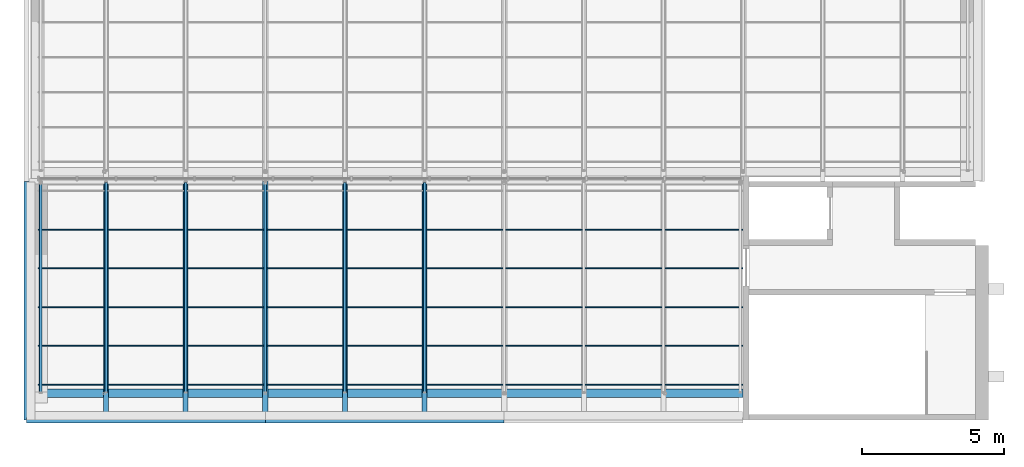
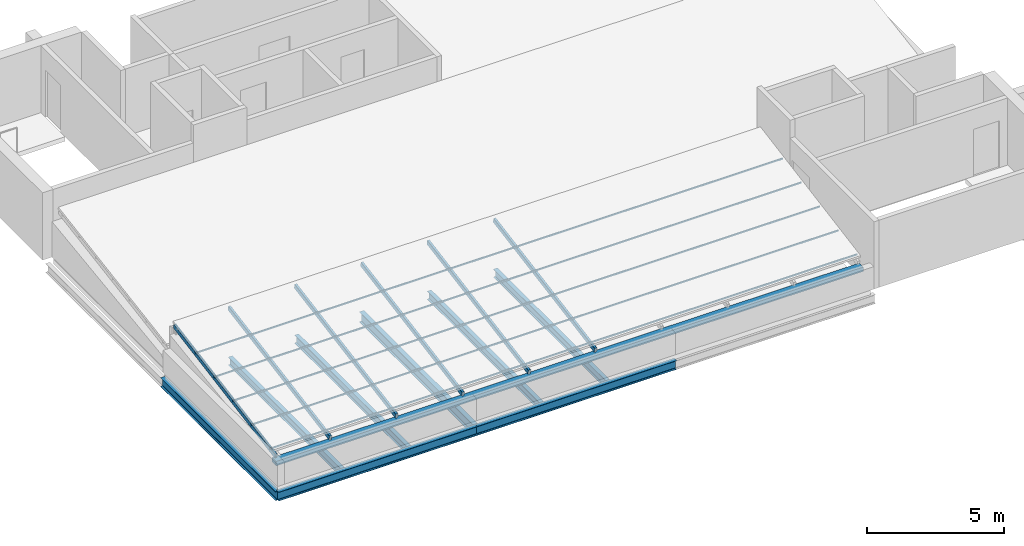
# One storey, part 1 of 33: 12 members, 8 beams.
"""IFC4 building model written with IfcOpenShell, lengths in metres."""

from ifc_helpers import new_model, si_unit, direction, frame, origin, origin_2d, place, context, subcontext, project, spatial, rectangle, hollow_rectangle, i_section, extrude, material, material_profile, profile_set, type_object, element, save


model = new_model("IFC4")

# Units and contexts
model_context = context("Model", 3, precision=1e-05, world=origin(), true_north=direction((0.0, 1.0)))
body_context = subcontext(model_context, "Body", "Model", "MODEL_VIEW")
ifc_project = project(units=[si_unit("LENGTHUNIT", "METRE"), si_unit("AREAUNIT", "SQUARE_METRE"), si_unit("VOLUMEUNIT", "CUBIC_METRE"), si_unit("PLANEANGLEUNIT", "RADIAN"), si_unit("MASSUNIT", "GRAM", prefix="KILO")], contexts=[model_context])

# Site, building, storey
site_placement = place(None, origin())
site = spatial("IfcSite", under=ifc_project, at=site_placement, CompositionType="ELEMENT")
building_placement = place(site_placement, origin())
building = spatial("IfcBuilding", under=site, at=building_placement, Name="Ardhachandra Cancer Care Centre", CompositionType="ELEMENT")
storey_placement = place(building_placement, frame((0.0, 0.0, 27.0)))
storey = spatial("IfcBuildingStorey", under=building, at=storey_placement, Name="Roof", CompositionType="ELEMENT", Elevation=27.0)

# Beams
ifc_material_1 = material(Name="Steel E350 (IS 2062)", Category="steel")
ifc_material_profile_1 = material_profile(ifc_material_1, i_section(OverallWidth=0.172119140625, OverallDepth=0.364013671875, WebThickness=0.00927734375, FlangeThickness=0.0146484375, FilletRadius=0.01806640625, at=origin_2d()), Name="NPB 350x170x66.04")
ifc_profile_set_1 = profile_set([ifc_material_profile_1], Name="Steel E350 (IS 2062)")
beam_type_1 = type_object("IfcBeamType", Name="Beam NPB 350x170x66.04", PredefinedType="BEAM", material=ifc_profile_set_1)
for number, where, z_axis, x_axis, name in (
    (1, (114.39990234375, 79.889892578125, -0.382080078125), (0.0, 1.0, 0.0), (-1.0, 0.0, 0.0), "Secondary J13-K13@2800"),
    (2, (117.199951171875, 79.889892578125, -0.382080078125), (0.0, 1.0, 0.0), (-1.0, 0.0, 0.0), "Secondary J13-K13@5600"),
    (3, (122.800048828125, 79.889892578125, -0.382080078125), (0.0, 1.0, 0.0), (-1.0, 0.0, 0.0), "Secondary J14-K14@2800"),
    (4, (125.60009765625, 79.889892578125, -0.382080078125), (0.0, 1.0, 0.0), (-1.0, 0.0, 0.0), "Secondary J14-K14@5600"),
):
    element("IfcBeam", number, at=place(storey_placement, frame(where, z_axis=z_axis, x_axis=x_axis)), inside=storey, type_object=beam_type_1, Name=name, PredefinedType="BEAM", context=body_context, shape_type="SweptSolid", body=[
        extrude(i_section(OverallWidth=0.172119140625, OverallDepth=0.364013671875, WebThickness=0.00927734375, FlangeThickness=0.0146484375, FilletRadius=0.01806640625, at=origin_2d()), origin(), (0.0, 0.0, 1.0), 8.214111328125),
    ])
ifc_material_2 = material(Name="Steel E350 (IS 2062)", Category="steel")
ifc_material_profile_2 = material_profile(ifc_material_2, i_section(OverallWidth=0.179931640625, OverallDepth=0.39990234375, WebThickness=0.008544921875, FlangeThickness=0.013427734375, FilletRadius=0.02099609375, at=origin_2d()), Name="NPB 400x180x66.30")
ifc_profile_set_2 = profile_set([ifc_material_profile_2], Name="Steel E350 (IS 2062)")
beam_type_2 = type_object("IfcBeamType", Name="Beam NPB 400x180x66.30", PredefinedType="BEAM", material=ifc_profile_set_2)
for number, where, z_axis, x_axis, name in (
    (5, (111.60009765625, 79.800048828125, -0.39990234375), (1.0, 0.0, 0.0), (0.0, 1.0, 0.0), "Edge girder J13-J14"),
    (6, (120.0, 79.800048828125, -0.39990234375), (1.0, 0.0, 0.0), (0.0, 1.0, 0.0), "Edge girder J14-J15"),
    (7, (111.60009765625, 79.800048828125, -0.39990234375), (0.0, 1.0, 0.0), (-1.0, 0.0, 0.0), "Edge girder J13-K13"),
):
    element("IfcBeam", number, at=place(storey_placement, frame(where, z_axis=z_axis, x_axis=x_axis)), inside=storey, type_object=beam_type_2, Name=name, PredefinedType="BEAM", context=body_context, shape_type="SweptSolid", body=[
        extrude(i_section(OverallWidth=0.179931640625, OverallDepth=0.39990234375, WebThickness=0.008544921875, FlangeThickness=0.013427734375, FilletRadius=0.02099609375, at=origin_2d()), origin(), (0.0, 0.0, 1.0), 8.39990234375),
    ])
ifc_material_3 = material(Name="Steel E350 (IS 2062)", Category="steel")
ifc_material_profile_3 = material_profile(ifc_material_3, i_section(OverallWidth=0.19189453125, OverallDepth=0.4560546875, WebThickness=0.010986328125, FlangeThickness=0.017578125, FilletRadius=0.02099609375, at=origin_2d()), Name="NPB 450x190x92.36")
ifc_profile_set_3 = profile_set([ifc_material_profile_3], Name="Steel E350 (IS 2062)")
beam_type_3 = type_object("IfcBeamType", Name="Beam NPB 450x190x92.36", PredefinedType="BEAM", material=ifc_profile_set_3)
beam_placement = place(storey_placement, frame((120.0, 79.800048828125, -0.427978515625), z_axis=(0.0, 1.0, 0.0), x_axis=(-1.0, 0.0, 0.0)))
element("IfcBeam", 8, at=beam_placement, inside=storey, type_object=beam_type_3, Name="Girder J14-K14", PredefinedType="BEAM", context=body_context, shape_type="SweptSolid", body=[
    extrude(i_section(OverallWidth=0.19189453125, OverallDepth=0.4560546875, WebThickness=0.010986328125, FlangeThickness=0.017578125, FilletRadius=0.02099609375, at=origin_2d()), origin(), (0.0, 0.0, 1.0), 8.39990234375),
])

# Members
ifc_material_4 = material(Name="Steel E350 (IS 2062)", Category="steel")
ifc_material_profile_4 = material_profile(ifc_material_4, hollow_rectangle(XDim=0.0400390625, YDim=0.080078125, WallThickness=0.00390625, InnerFilletRadius=0.00390625, OuterFilletRadius=0.008056640625, at=origin_2d()), Name="RHS 80x40x4.0")
ifc_profile_set_4 = profile_set([ifc_material_profile_4], Name="Steel E350 (IS 2062)")
member_type_1 = type_object("IfcMemberType", Name="Roof purlin RHS 80x40x4.0", PredefinedType="PURLIN", material=ifc_profile_set_4)
for number, where, z_axis, x_axis, name in (
    (9, (112.0, 81.053955078125, 0.7890625), (1.0, 0.0, 0.0), (0.0, 0.984460447526, 0.175606455623), "Purlin ST1a.1"),
    (10, (112.0, 82.41552734375, 1.031982421875), (1.0, 0.0, 0.0), (0.0, 0.984460447526, 0.175606455623), "Purlin ST1a.2"),
    (11, (112.0, 83.777099609375, 1.27490234375), (1.0, 0.0, 0.0), (0.0, 0.984460447526, 0.175606455623), "Purlin ST1a.3"),
    (12, (112.0, 85.138671875, 1.517822265625), (1.0, 0.0, 0.0), (0.0, 0.984460447526, 0.175606455623), "Purlin ST1a.4"),
    (13, (112.0, 86.500244140625, 1.760498046875), (1.0, 0.0, 0.0), (0.0, 0.984460447526, 0.175606455623), "Purlin ST1a.5"),
):
    element("IfcMember", number, at=place(storey_placement, frame(where, z_axis=z_axis, x_axis=x_axis)), inside=storey, type_object=member_type_1, Name=name, PredefinedType="PURLIN", context=body_context, shape_type="SweptSolid", body=[
        extrude(hollow_rectangle(XDim=0.0400390625, YDim=0.080078125, WallThickness=0.00390625, InnerFilletRadius=0.00390625, OuterFilletRadius=0.008056640625, at=origin_2d()), origin(), (0.0, 0.0, 1.0), 24.800048828125),
    ])
ifc_material_5 = material(Name="Steel E350 (IS 2062)", Category="steel")
ifc_material_profile_5 = material_profile(ifc_material_5, hollow_rectangle(XDim=0.10009765625, YDim=0.199951171875, WallThickness=0.006103515625, InnerFilletRadius=0.006103515625, OuterFilletRadius=0.011962890625, at=origin_2d()), Name="RHS 200x100x6.0")
ifc_profile_set_5 = profile_set([ifc_material_profile_5], Name="Steel E350 (IS 2062)")
member_type_2 = type_object("IfcMemberType", Name="Roof rafter RHS 200x100x6.0", PredefinedType="RAFTER", material=ifc_profile_set_5)
for number, where, z_axis, x_axis, name in (
    (14, (112.10009765625, 80.782470703125, 0.598388671875), (0.0, 0.984458474177, 0.175617517977), (-1.0, 0.0, 0.0), "Rafter ST1a.1"),
    (15, (114.39990234375, 80.782470703125, 0.598388671875), (0.0, 0.984458474177, 0.175617517977), (-1.0, 0.0, 0.0), "Rafter ST1a.2"),
    (16, (117.199951171875, 80.782470703125, 0.598388671875), (0.0, 0.984458474177, 0.175617517977), (-1.0, 0.0, 0.0), "Rafter ST1a.3"),
    (17, (120.0, 80.782470703125, 0.598388671875), (0.0, 0.984458474177, 0.175617517977), (-1.0, 0.0, 0.0), "Rafter ST1a.4"),
    (18, (122.800048828125, 80.782470703125, 0.598388671875), (0.0, 0.984458474177, 0.175617517977), (-1.0, 0.0, 0.0), "Rafter ST1a.5"),
    (19, (125.60009765625, 80.782470703125, 0.598388671875), (0.0, 0.984458474177, 0.175617517977), (-1.0, 0.0, 0.0), "Rafter ST1a.6"),
):
    element("IfcMember", number, at=place(storey_placement, frame(where, z_axis=z_axis, x_axis=x_axis)), inside=storey, type_object=member_type_2, Name=name, PredefinedType="RAFTER", context=body_context, shape_type="SweptSolid", body=[
        extrude(hollow_rectangle(XDim=0.10009765625, YDim=0.199951171875, WallThickness=0.006103515625, InnerFilletRadius=0.006103515625, OuterFilletRadius=0.011962890625, at=origin_2d()), origin(), (0.0, 0.0, 1.0), 7.516845703125),
    ])
ifc_material_6 = material(Name="Stainless steel sheet gutter on galvanised steel cradle", Category="steel")
ifc_material_profile_6 = material_profile(ifc_material_6, rectangle(XDim=0.300048828125, YDim=0.199951171875, at=origin_2d()), Name="Valley gutter 300 x 200")
ifc_profile_set_6 = profile_set([ifc_material_profile_6], Name="Stainless steel sheet gutter on galvanised steel cradle")
member_type_3 = type_object("IfcMemberType", Name="Valley gutter 300 x 200", PredefinedType="USERDEFINED", material=ifc_profile_set_6)
member_placement = place(storey_placement, frame((112.0, 80.739990234375, 0.39990234375), z_axis=(1.0, 0.0, 0.0), x_axis=(0.0, 1.0, 0.0)))
element("IfcMember", 20, at=member_placement, inside=storey, type_object=member_type_3, Name="Valley gutter ST1a", ObjectType="GUTTER", PredefinedType="USERDEFINED", context=body_context, shape_type="SweptSolid", body=[
    extrude(rectangle(XDim=0.300048828125, YDim=0.199951171875, at=origin_2d()), origin(), (0.0, 0.0, 1.0), 24.800048828125),
])

save(model, "model.ifc")
